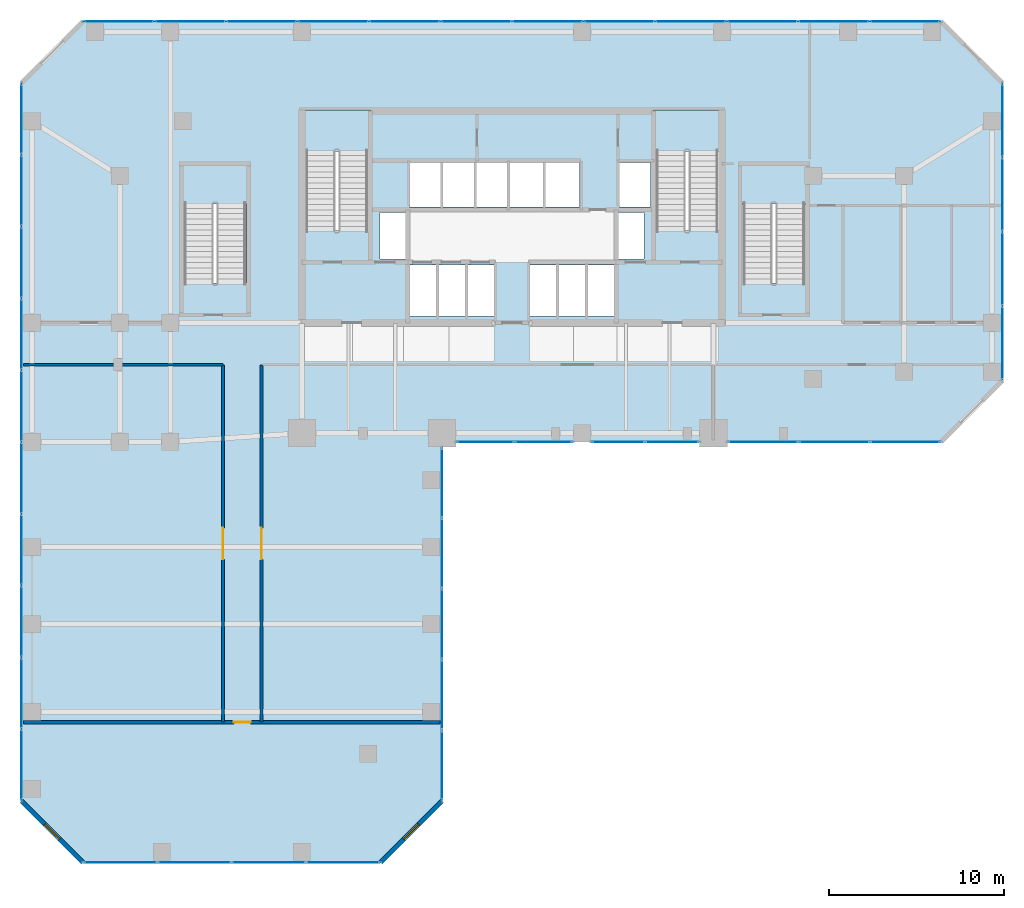
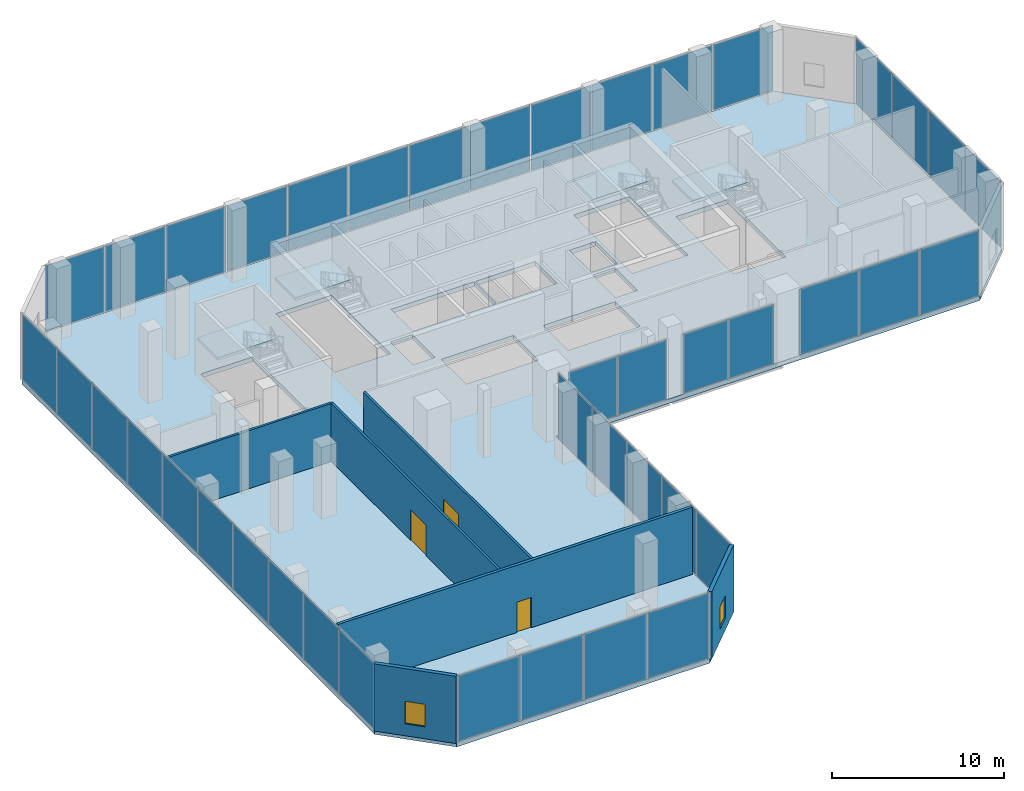
# One storey, part 20 of 24: 42 plates, 6 walls, 5 slabs, 3 doors, 2 windows, 5 openings, 12 elements without a shape of their own.
"""IFC4 building model written with IfcOpenShell, lengths in metres."""

from ifc_helpers import new_model, si_unit, direction, frame, frame_2d, origin, origin_2d, place, context, subcontext, project, spatial, polyline, rectangle, outline, extrude, material, layer, layer_set, type_object, element, fill, aggregate, save


model = new_model("IFC4")

# Units and contexts
model_context = context("Model", 3, precision=1e-05, world=origin(), true_north=direction((0.0, 1.0)))
body_context = subcontext(model_context, "Body", "Model", "MODEL_VIEW")
ifc_project = project(units=[si_unit("LENGTHUNIT", "METRE"), si_unit("AREAUNIT", "SQUARE_METRE"), si_unit("VOLUMEUNIT", "CUBIC_METRE"), si_unit("PLANEANGLEUNIT", "RADIAN"), si_unit("MASSUNIT", "GRAM", prefix="KILO")], contexts=[model_context])

# Site, building, storey
site_placement = place(None, origin())
site = spatial("IfcSite", under=ifc_project, at=site_placement, CompositionType="ELEMENT")
building_placement = place(site_placement, origin())
building = spatial("IfcBuilding", under=site, at=building_placement, Name="Catumbela Crestline Tower", CompositionType="ELEMENT")
storey_placement = place(building_placement, frame((0.0, 0.0, 6.0)))
storey = spatial("IfcBuildingStorey", under=building, at=storey_placement, Name="L01", CompositionType="ELEMENT", Elevation=6.0)

# Curtain wall, plates
ifc_material_1 = material(Name="Aluminium alloy AW-6060-T66", Category="aluminium")
ifc_layer_1 = layer(ifc_material_1, 0.18, Name="Aluminium alloy AW-6060-T66")
ifc_layer_set_1 = layer_set([ifc_layer_1], Name="Aluminium alloy AW-6060-T66")
curtain_wall_type = type_object("IfcCurtainWallType", Name="CWS-POD", PredefinedType="USERDEFINED", material=ifc_layer_set_1)
curtain_wall_1_placement = place(storey_placement, origin())
curtain_wall_1 = element("IfcCurtainWall", 1, at=curtain_wall_1_placement, inside=storey, type_object=curtain_wall_type, Name="L01 Stick Curtain Wall CW-L01-E0S1", ObjectType="STICK", PredefinedType="USERDEFINED")
ifc_material_2 = material(Name="Low-E laminated solar-control double glazing", Category="glass")
ifc_layer_2 = layer(ifc_material_2, 0.032, Name="Low-E laminated solar-control double glazing")
ifc_layer_set_2 = layer_set([ifc_layer_2], Name="Low-E laminated solar-control double glazing")
plate_type = type_object("IfcPlateType", Name="PNL-GLZ-PD", PredefinedType="CURTAIN_PANEL", material=ifc_layer_set_2)
plate_1_placement = place(storey_placement, frame((5.6412, 0.0, 0.06), z_axis=(0.0, 0.0, 1.0), x_axis=(1.0, 0.0, 0.0)))
plate_1 = element("IfcPlate", 2, at=plate_1_placement, type_object=plate_type, Name="CWS-POD panel 1.1", PredefinedType="CURTAIN_PANEL", context=body_context, shape_type="SweptSolid", body=[
    extrude(rectangle(XDim=4.1525, YDim=0.034, at=origin_2d()), origin(), (0.0, 0.0, 1.0), 4.65),
])
plate_2_placement = place(storey_placement, frame((9.875, 0.0, 0.06), z_axis=(0.0, 0.0, 1.0), x_axis=(1.0, 0.0, 0.0)))
plate_2 = element("IfcPlate", 3, at=plate_2_placement, type_object=plate_type, Name="CWS-POD panel 2.1", PredefinedType="CURTAIN_PANEL", context=body_context, shape_type="SweptSolid", body=[
    extrude(rectangle(XDim=4.185, YDim=0.034, at=origin_2d()), origin(), (0.0, 0.0, 1.0), 4.65),
])
plate_3_placement = place(storey_placement, frame((14.125, 0.0, 0.06), z_axis=(0.0, 0.0, 1.0), x_axis=(1.0, 0.0, 0.0)))
plate_3 = element("IfcPlate", 4, at=plate_3_placement, type_object=plate_type, Name="CWS-POD panel 3.1", PredefinedType="CURTAIN_PANEL", context=body_context, shape_type="SweptSolid", body=[
    extrude(rectangle(XDim=4.185, YDim=0.034, at=origin_2d()), origin(), (0.0, 0.0, 1.0), 4.65),
])
plate_4_placement = place(storey_placement, frame((18.3588, 0.0, 0.06), z_axis=(0.0, 0.0, 1.0), x_axis=(1.0, 0.0, 0.0)))
plate_4 = element("IfcPlate", 5, at=plate_4_placement, type_object=plate_type, Name="CWS-POD panel 4.1", PredefinedType="CURTAIN_PANEL", context=body_context, shape_type="SweptSolid", body=[
    extrude(rectangle(XDim=4.1525, YDim=0.034, at=origin_2d()), origin(), (0.0, 0.0, 1.0), 4.65),
])
aggregate(curtain_wall_1, [plate_1, plate_2, plate_3, plate_4])

curtain_wall_2_placement = place(storey_placement, origin())
curtain_wall_2 = element("IfcCurtainWall", 6, at=curtain_wall_2_placement, inside=storey, type_object=curtain_wall_type, Name="L01 Stick Curtain Wall CW-L01-E2S1", ObjectType="STICK", PredefinedType="USERDEFINED")
plate_5_placement = place(storey_placement, frame((24.0, 5.5362, 0.06), z_axis=(0.0, 0.0, 1.0), x_axis=(0.0, 1.0, 0.0)))
plate_5 = element("IfcPlate", 7, at=plate_5_placement, type_object=plate_type, Name="CWS-POD panel 1.1", PredefinedType="CURTAIN_PANEL", context=body_context, shape_type="SweptSolid", body=[
    extrude(rectangle(XDim=3.9425, YDim=0.034, at=origin_2d()), origin(), (0.0, 0.0, 1.0), 4.65),
])
plate_6_placement = place(storey_placement, frame((24.0, 9.56, 0.06), z_axis=(0.0, 0.0, 1.0), x_axis=(0.0, 1.0, 0.0)))
plate_6 = element("IfcPlate", 8, at=plate_6_placement, type_object=plate_type, Name="CWS-POD panel 2.1", PredefinedType="CURTAIN_PANEL", context=body_context, shape_type="SweptSolid", body=[
    extrude(rectangle(XDim=3.975, YDim=0.034, at=origin_2d()), origin(), (0.0, 0.0, 1.0), 4.65),
])
plate_7_placement = place(storey_placement, frame((24.0, 13.6, 0.06), z_axis=(0.0, 0.0, 1.0), x_axis=(0.0, 1.0, 0.0)))
plate_7 = element("IfcPlate", 9, at=plate_7_placement, type_object=plate_type, Name="CWS-POD panel 3.1", PredefinedType="CURTAIN_PANEL", context=body_context, shape_type="SweptSolid", body=[
    extrude(rectangle(XDim=3.975, YDim=0.034, at=origin_2d()), origin(), (0.0, 0.0, 1.0), 4.65),
])
plate_8_placement = place(storey_placement, frame((24.0, 17.64, 0.06), z_axis=(0.0, 0.0, 1.0), x_axis=(0.0, 1.0, 0.0)))
plate_8 = element("IfcPlate", 10, at=plate_8_placement, type_object=plate_type, Name="CWS-POD panel 4.1", PredefinedType="CURTAIN_PANEL", context=body_context, shape_type="SweptSolid", body=[
    extrude(rectangle(XDim=3.975, YDim=0.034, at=origin_2d()), origin(), (0.0, 0.0, 1.0), 4.65),
])
plate_9_placement = place(storey_placement, frame((24.0, 21.6638, 0.06), z_axis=(0.0, 0.0, 1.0), x_axis=(0.0, 1.0, 0.0)))
plate_9 = element("IfcPlate", 11, at=plate_9_placement, type_object=plate_type, Name="CWS-POD panel 5.1", PredefinedType="CURTAIN_PANEL", context=body_context, shape_type="SweptSolid", body=[
    extrude(rectangle(XDim=3.9425, YDim=0.034, at=origin_2d()), origin(), (0.0, 0.0, 1.0), 4.65),
])
aggregate(curtain_wall_2, [plate_5, plate_6, plate_7, plate_8, plate_9])

curtain_wall_3_placement = place(storey_placement, origin())
curtain_wall_3 = element("IfcCurtainWall", 12, at=curtain_wall_3_placement, inside=storey, type_object=curtain_wall_type, Name="L01 Stick Curtain Wall CW-L01-E3S1", ObjectType="STICK", PredefinedType="USERDEFINED")
plate_10_placement = place(storey_placement, frame((26.4912, 24.0, 0.06), z_axis=(0.0, 0.0, 1.0), x_axis=(1.0, 0.0, 0.0)))
plate_10 = element("IfcPlate", 13, at=plate_10_placement, type_object=plate_type, Name="CWS-POD panel 1.1", PredefinedType="CURTAIN_PANEL", context=body_context, shape_type="SweptSolid", body=[
    extrude(rectangle(XDim=3.2525, YDim=0.034, at=origin_2d()), origin(), (0.0, 0.0, 1.0), 4.19),
])
plate_11_placement = place(storey_placement, frame((29.8088, 24.0, 0.06), z_axis=(0.0, 0.0, 1.0), x_axis=(1.0, 0.0, 0.0)))
plate_11 = element("IfcPlate", 14, at=plate_11_placement, type_object=plate_type, Name="CWS-POD panel 2.1", PredefinedType="CURTAIN_PANEL", context=body_context, shape_type="SweptSolid", body=[
    extrude(rectangle(XDim=3.2525, YDim=0.034, at=origin_2d()), origin(), (0.0, 0.0, 1.0), 4.19),
])
aggregate(curtain_wall_3, [plate_10, plate_11])

curtain_wall_4_placement = place(storey_placement, origin())
curtain_wall_4 = element("IfcCurtainWall", 15, at=curtain_wall_4_placement, inside=storey, type_object=curtain_wall_type, Name="L01 Stick Curtain Wall CW-L01-E3S2", ObjectType="STICK", PredefinedType="USERDEFINED")
plate_12_placement = place(storey_placement, frame((34.0662, 24.0, 0.06), z_axis=(0.0, 0.0, 1.0), x_axis=(1.0, 0.0, 0.0)))
plate_12 = element("IfcPlate", 16, at=plate_12_placement, type_object=plate_type, Name="CWS-POD panel 1.1", PredefinedType="CURTAIN_PANEL", context=body_context, shape_type="SweptSolid", body=[
    extrude(rectangle(XDim=3.0025, YDim=0.034, at=origin_2d()), origin(), (0.0, 0.0, 1.0), 4.19),
])
plate_13_placement = place(storey_placement, frame((37.1338, 24.0, 0.06), z_axis=(0.0, 0.0, 1.0), x_axis=(1.0, 0.0, 0.0)))
plate_13 = element("IfcPlate", 17, at=plate_13_placement, type_object=plate_type, Name="CWS-POD panel 2.1", PredefinedType="CURTAIN_PANEL", context=body_context, shape_type="SweptSolid", body=[
    extrude(rectangle(XDim=3.0025, YDim=0.034, at=origin_2d()), origin(), (0.0, 0.0, 1.0), 4.19),
])
aggregate(curtain_wall_4, [plate_12, plate_13])

curtain_wall_5_placement = place(storey_placement, origin())
curtain_wall_5 = element("IfcCurtainWall", 18, at=curtain_wall_5_placement, inside=storey, type_object=curtain_wall_type, Name="L01 Stick Curtain Wall CW-L01-E3S3", ObjectType="STICK", PredefinedType="USERDEFINED")
plate_14_placement = place(storey_placement, frame((42.3496, 24.0, 0.06), z_axis=(0.0, 0.0, 1.0), x_axis=(1.0, 0.0, 0.0)))
plate_14 = element("IfcPlate", 19, at=plate_14_placement, type_object=plate_type, Name="CWS-POD panel 1.1", PredefinedType="CURTAIN_PANEL", context=body_context, shape_type="SweptSolid", body=[
    extrude(rectangle(XDim=3.9692, YDim=0.034, at=origin_2d()), origin(), (0.0, 0.0, 1.0), 4.65),
])
plate_15_placement = place(storey_placement, frame((46.4, 24.0, 0.06), z_axis=(0.0, 0.0, 1.0), x_axis=(1.0, 0.0, 0.0)))
plate_15 = element("IfcPlate", 20, at=plate_15_placement, type_object=plate_type, Name="CWS-POD panel 2.1", PredefinedType="CURTAIN_PANEL", context=body_context, shape_type="SweptSolid", body=[
    extrude(rectangle(XDim=4.0017, YDim=0.034, at=origin_2d()), origin(), (0.0, 0.0, 1.0), 4.65),
])
plate_16_placement = place(storey_placement, frame((50.4504, 24.0, 0.06), z_axis=(0.0, 0.0, 1.0), x_axis=(1.0, 0.0, 0.0)))
plate_16 = element("IfcPlate", 21, at=plate_16_placement, type_object=plate_type, Name="CWS-POD panel 3.1", PredefinedType="CURTAIN_PANEL", context=body_context, shape_type="SweptSolid", body=[
    extrude(rectangle(XDim=3.9692, YDim=0.034, at=origin_2d()), origin(), (0.0, 0.0, 1.0), 4.65),
])
aggregate(curtain_wall_5, [plate_14, plate_15, plate_16])

curtain_wall_6_placement = place(storey_placement, origin())
curtain_wall_6 = element("IfcCurtainWall", 22, at=curtain_wall_6_placement, inside=storey, type_object=curtain_wall_type, Name="L01 Stick Curtain Wall CW-L01-E5S1", ObjectType="STICK", PredefinedType="USERDEFINED")
plate_17_placement = place(storey_placement, frame((56.0, 29.6412, 0.06), z_axis=(0.0, 0.0, 1.0), x_axis=(0.0, 1.0, 0.0)))
plate_17 = element("IfcPlate", 23, at=plate_17_placement, type_object=plate_type, Name="CWS-POD panel 1.1", PredefinedType="CURTAIN_PANEL", context=body_context, shape_type="SweptSolid", body=[
    extrude(rectangle(XDim=4.1525, YDim=0.034, at=origin_2d()), origin(), (0.0, 0.0, 1.0), 4.65),
])
plate_18_placement = place(storey_placement, frame((56.0, 33.875, 0.06), z_axis=(0.0, 0.0, 1.0), x_axis=(0.0, 1.0, 0.0)))
plate_18 = element("IfcPlate", 24, at=plate_18_placement, type_object=plate_type, Name="CWS-POD panel 2.1", PredefinedType="CURTAIN_PANEL", context=body_context, shape_type="SweptSolid", body=[
    extrude(rectangle(XDim=4.185, YDim=0.034, at=origin_2d()), origin(), (0.0, 0.0, 1.0), 4.65),
])
plate_19_placement = place(storey_placement, frame((56.0, 38.125, 0.06), z_axis=(0.0, 0.0, 1.0), x_axis=(0.0, 1.0, 0.0)))
plate_19 = element("IfcPlate", 25, at=plate_19_placement, type_object=plate_type, Name="CWS-POD panel 3.1", PredefinedType="CURTAIN_PANEL", context=body_context, shape_type="SweptSolid", body=[
    extrude(rectangle(XDim=4.185, YDim=0.034, at=origin_2d()), origin(), (0.0, 0.0, 1.0), 4.65),
])
plate_20_placement = place(storey_placement, frame((56.0, 42.3588, 0.06), z_axis=(0.0, 0.0, 1.0), x_axis=(0.0, 1.0, 0.0)))
plate_20 = element("IfcPlate", 26, at=plate_20_placement, type_object=plate_type, Name="CWS-POD panel 4.1", PredefinedType="CURTAIN_PANEL", context=body_context, shape_type="SweptSolid", body=[
    extrude(rectangle(XDim=4.1525, YDim=0.034, at=origin_2d()), origin(), (0.0, 0.0, 1.0), 4.65),
])
aggregate(curtain_wall_6, [plate_17, plate_18, plate_19, plate_20])

curtain_wall_7_placement = place(storey_placement, origin())
curtain_wall_7 = element("IfcCurtainWall", 27, at=curtain_wall_7_placement, inside=storey, type_object=curtain_wall_type, Name="L01 Stick Curtain Wall CW-L01-E7S1", ObjectType="STICK", PredefinedType="USERDEFINED")
plate_21_placement = place(storey_placement, frame((50.4421, 48.0, 0.06), z_axis=(0.0, 0.0, 1.0), x_axis=(-1.0, 0.0, 0.0)))
plate_21 = element("IfcPlate", 28, at=plate_21_placement, type_object=plate_type, Name="CWS-POD panel 1.1", PredefinedType="CURTAIN_PANEL", context=body_context, shape_type="SweptSolid", body=[
    extrude(rectangle(XDim=3.9858, YDim=0.034, at=origin_2d()), origin(), (0.0, 0.0, 1.0), 4.65),
])
plate_22_placement = place(storey_placement, frame((46.375, 48.0, 0.06), z_axis=(0.0, 0.0, 1.0), x_axis=(-1.0, 0.0, 0.0)))
plate_22 = element("IfcPlate", 29, at=plate_22_placement, type_object=plate_type, Name="CWS-POD panel 2.1", PredefinedType="CURTAIN_PANEL", context=body_context, shape_type="SweptSolid", body=[
    extrude(rectangle(XDim=4.0183, YDim=0.034, at=origin_2d()), origin(), (0.0, 0.0, 1.0), 4.65),
])
plate_23_placement = place(storey_placement, frame((42.2917, 48.0, 0.06), z_axis=(0.0, 0.0, 1.0), x_axis=(-1.0, 0.0, 0.0)))
plate_23 = element("IfcPlate", 30, at=plate_23_placement, type_object=plate_type, Name="CWS-POD panel 3.1", PredefinedType="CURTAIN_PANEL", context=body_context, shape_type="SweptSolid", body=[
    extrude(rectangle(XDim=4.0183, YDim=0.034, at=origin_2d()), origin(), (0.0, 0.0, 1.0), 4.65),
])
plate_24_placement = place(storey_placement, frame((38.2083, 48.0, 0.06), z_axis=(0.0, 0.0, 1.0), x_axis=(-1.0, 0.0, 0.0)))
plate_24 = element("IfcPlate", 31, at=plate_24_placement, type_object=plate_type, Name="CWS-POD panel 4.1", PredefinedType="CURTAIN_PANEL", context=body_context, shape_type="SweptSolid", body=[
    extrude(rectangle(XDim=4.0183, YDim=0.034, at=origin_2d()), origin(), (0.0, 0.0, 1.0), 4.65),
])
plate_25_placement = place(storey_placement, frame((34.125, 48.0, 0.06), z_axis=(0.0, 0.0, 1.0), x_axis=(-1.0, 0.0, 0.0)))
plate_25 = element("IfcPlate", 32, at=plate_25_placement, type_object=plate_type, Name="CWS-POD panel 5.1", PredefinedType="CURTAIN_PANEL", context=body_context, shape_type="SweptSolid", body=[
    extrude(rectangle(XDim=4.0183, YDim=0.034, at=origin_2d()), origin(), (0.0, 0.0, 1.0), 4.65),
])
plate_26_placement = place(storey_placement, frame((30.0417, 48.0, 0.06), z_axis=(0.0, 0.0, 1.0), x_axis=(-1.0, 0.0, 0.0)))
plate_26 = element("IfcPlate", 33, at=plate_26_placement, type_object=plate_type, Name="CWS-POD panel 6.1", PredefinedType="CURTAIN_PANEL", context=body_context, shape_type="SweptSolid", body=[
    extrude(rectangle(XDim=4.0183, YDim=0.034, at=origin_2d()), origin(), (0.0, 0.0, 1.0), 4.65),
])
plate_27_placement = place(storey_placement, frame((25.9583, 48.0, 0.06), z_axis=(0.0, 0.0, 1.0), x_axis=(-1.0, 0.0, 0.0)))
plate_27 = element("IfcPlate", 34, at=plate_27_placement, type_object=plate_type, Name="CWS-POD panel 7.1", PredefinedType="CURTAIN_PANEL", context=body_context, shape_type="SweptSolid", body=[
    extrude(rectangle(XDim=4.0183, YDim=0.034, at=origin_2d()), origin(), (0.0, 0.0, 1.0), 4.65),
])
plate_28_placement = place(storey_placement, frame((21.875, 48.0, 0.06), z_axis=(0.0, 0.0, 1.0), x_axis=(-1.0, 0.0, 0.0)))
plate_28 = element("IfcPlate", 35, at=plate_28_placement, type_object=plate_type, Name="CWS-POD panel 8.1", PredefinedType="CURTAIN_PANEL", context=body_context, shape_type="SweptSolid", body=[
    extrude(rectangle(XDim=4.0183, YDim=0.034, at=origin_2d()), origin(), (0.0, 0.0, 1.0), 4.65),
])
plate_29_placement = place(storey_placement, frame((17.7917, 48.0, 0.06), z_axis=(0.0, 0.0, 1.0), x_axis=(-1.0, 0.0, 0.0)))
plate_29 = element("IfcPlate", 36, at=plate_29_placement, type_object=plate_type, Name="CWS-POD panel 9.1", PredefinedType="CURTAIN_PANEL", context=body_context, shape_type="SweptSolid", body=[
    extrude(rectangle(XDim=4.0183, YDim=0.034, at=origin_2d()), origin(), (0.0, 0.0, 1.0), 4.65),
])
plate_30_placement = place(storey_placement, frame((13.7083, 48.0, 0.06), z_axis=(0.0, 0.0, 1.0), x_axis=(-1.0, 0.0, 0.0)))
plate_30 = element("IfcPlate", 37, at=plate_30_placement, type_object=plate_type, Name="CWS-POD panel 10.1", PredefinedType="CURTAIN_PANEL", context=body_context, shape_type="SweptSolid", body=[
    extrude(rectangle(XDim=4.0183, YDim=0.034, at=origin_2d()), origin(), (0.0, 0.0, 1.0), 4.65),
])
plate_31_placement = place(storey_placement, frame((9.625, 48.0, 0.06), z_axis=(0.0, 0.0, 1.0), x_axis=(-1.0, 0.0, 0.0)))
plate_31 = element("IfcPlate", 38, at=plate_31_placement, type_object=plate_type, Name="CWS-POD panel 11.1", PredefinedType="CURTAIN_PANEL", context=body_context, shape_type="SweptSolid", body=[
    extrude(rectangle(XDim=4.0183, YDim=0.034, at=origin_2d()), origin(), (0.0, 0.0, 1.0), 4.65),
])
plate_32_placement = place(storey_placement, frame((5.5579, 48.0, 0.06), z_axis=(0.0, 0.0, 1.0), x_axis=(-1.0, 0.0, 0.0)))
plate_32 = element("IfcPlate", 39, at=plate_32_placement, type_object=plate_type, Name="CWS-POD panel 12.1", PredefinedType="CURTAIN_PANEL", context=body_context, shape_type="SweptSolid", body=[
    extrude(rectangle(XDim=3.9858, YDim=0.034, at=origin_2d()), origin(), (0.0, 0.0, 1.0), 4.65),
])
aggregate(curtain_wall_7, [plate_21, plate_22, plate_23, plate_24, plate_25, plate_26, plate_27, plate_28, plate_29, plate_30, plate_31, plate_32])

curtain_wall_8_placement = place(storey_placement, origin())
curtain_wall_8 = element("IfcCurtainWall", 40, at=curtain_wall_8_placement, inside=storey, type_object=curtain_wall_type, Name="L01 Stick Curtain Wall CW-L01-E9S1", ObjectType="STICK", PredefinedType="USERDEFINED")
plate_33_placement = place(storey_placement, frame((0.0, 42.4338, 0.06), z_axis=(0.0, 0.0, 1.0), x_axis=(0.0, -1.0, 0.0)))
plate_33 = element("IfcPlate", 41, at=plate_33_placement, type_object=plate_type, Name="CWS-POD panel 1.1", PredefinedType="CURTAIN_PANEL", context=body_context, shape_type="SweptSolid", body=[
    extrude(rectangle(XDim=4.0025, YDim=0.034, at=origin_2d()), origin(), (0.0, 0.0, 1.0), 4.65),
])
plate_34_placement = place(storey_placement, frame((0.0, 38.35, 0.06), z_axis=(0.0, 0.0, 1.0), x_axis=(0.0, -1.0, 0.0)))
plate_34 = element("IfcPlate", 42, at=plate_34_placement, type_object=plate_type, Name="CWS-POD panel 2.1", PredefinedType="CURTAIN_PANEL", context=body_context, shape_type="SweptSolid", body=[
    extrude(rectangle(XDim=4.035, YDim=0.034, at=origin_2d()), origin(), (0.0, 0.0, 1.0), 4.65),
])
plate_35_placement = place(storey_placement, frame((0.0, 34.25, 0.06), z_axis=(0.0, 0.0, 1.0), x_axis=(0.0, -1.0, 0.0)))
plate_35 = element("IfcPlate", 43, at=plate_35_placement, type_object=plate_type, Name="CWS-POD panel 3.1", PredefinedType="CURTAIN_PANEL", context=body_context, shape_type="SweptSolid", body=[
    extrude(rectangle(XDim=4.035, YDim=0.034, at=origin_2d()), origin(), (0.0, 0.0, 1.0), 4.65),
])
plate_36_placement = place(storey_placement, frame((0.0, 30.15, 0.06), z_axis=(0.0, 0.0, 1.0), x_axis=(0.0, -1.0, 0.0)))
plate_36 = element("IfcPlate", 44, at=plate_36_placement, type_object=plate_type, Name="CWS-POD panel 4.1", PredefinedType="CURTAIN_PANEL", context=body_context, shape_type="SweptSolid", body=[
    extrude(rectangle(XDim=4.035, YDim=0.034, at=origin_2d()), origin(), (0.0, 0.0, 1.0), 4.65),
])
plate_37_placement = place(storey_placement, frame((0.0, 26.05, 0.06), z_axis=(0.0, 0.0, 1.0), x_axis=(0.0, -1.0, 0.0)))
plate_37 = element("IfcPlate", 45, at=plate_37_placement, type_object=plate_type, Name="CWS-POD panel 5.1", PredefinedType="CURTAIN_PANEL", context=body_context, shape_type="SweptSolid", body=[
    extrude(rectangle(XDim=4.035, YDim=0.034, at=origin_2d()), origin(), (0.0, 0.0, 1.0), 4.65),
])
plate_38_placement = place(storey_placement, frame((0.0, 21.95, 0.06), z_axis=(0.0, 0.0, 1.0), x_axis=(0.0, -1.0, 0.0)))
plate_38 = element("IfcPlate", 46, at=plate_38_placement, type_object=plate_type, Name="CWS-POD panel 6.1", PredefinedType="CURTAIN_PANEL", context=body_context, shape_type="SweptSolid", body=[
    extrude(rectangle(XDim=4.035, YDim=0.034, at=origin_2d()), origin(), (0.0, 0.0, 1.0), 4.65),
])
plate_39_placement = place(storey_placement, frame((0.0, 17.85, 0.06), z_axis=(0.0, 0.0, 1.0), x_axis=(0.0, -1.0, 0.0)))
plate_39 = element("IfcPlate", 47, at=plate_39_placement, type_object=plate_type, Name="CWS-POD panel 7.1", PredefinedType="CURTAIN_PANEL", context=body_context, shape_type="SweptSolid", body=[
    extrude(rectangle(XDim=4.035, YDim=0.034, at=origin_2d()), origin(), (0.0, 0.0, 1.0), 4.65),
])
plate_40_placement = place(storey_placement, frame((0.0, 13.75, 0.06), z_axis=(0.0, 0.0, 1.0), x_axis=(0.0, -1.0, 0.0)))
plate_40 = element("IfcPlate", 48, at=plate_40_placement, type_object=plate_type, Name="CWS-POD panel 8.1", PredefinedType="CURTAIN_PANEL", context=body_context, shape_type="SweptSolid", body=[
    extrude(rectangle(XDim=4.035, YDim=0.034, at=origin_2d()), origin(), (0.0, 0.0, 1.0), 4.65),
])
plate_41_placement = place(storey_placement, frame((0.0, 9.65, 0.06), z_axis=(0.0, 0.0, 1.0), x_axis=(0.0, -1.0, 0.0)))
plate_41 = element("IfcPlate", 49, at=plate_41_placement, type_object=plate_type, Name="CWS-POD panel 9.1", PredefinedType="CURTAIN_PANEL", context=body_context, shape_type="SweptSolid", body=[
    extrude(rectangle(XDim=4.035, YDim=0.034, at=origin_2d()), origin(), (0.0, 0.0, 1.0), 4.65),
])
plate_42_placement = place(storey_placement, frame((0.0, 5.5662, 0.06), z_axis=(0.0, 0.0, 1.0), x_axis=(0.0, -1.0, 0.0)))
plate_42 = element("IfcPlate", 50, at=plate_42_placement, type_object=plate_type, Name="CWS-POD panel 10.1", PredefinedType="CURTAIN_PANEL", context=body_context, shape_type="SweptSolid", body=[
    extrude(rectangle(XDim=4.0025, YDim=0.034, at=origin_2d()), origin(), (0.0, 0.0, 1.0), 4.65),
])
aggregate(curtain_wall_8, [plate_33, plate_34, plate_35, plate_36, plate_37, plate_38, plate_39, plate_40, plate_41, plate_42])

# Stair, slab
ifc_material_3 = material(Name="Concrete C45/55", Category="concrete")
stair_type = type_object("IfcStairType", Name="ST-DLG", PredefinedType="HALF_TURN_STAIR", material=ifc_material_3)
stair_1_placement = place(storey_placement, origin())
stair_1 = element("IfcStair", 51, at=stair_1_placement, inside=storey, type_object=stair_type, Name="L01 West Core Pressurised Exit Stair ST-01", PredefinedType="HALF_TURN_STAIR")
ifc_layer_3 = layer(ifc_material_3, 0.2, Name="Concrete C45/55")
ifc_layer_set_3 = layer_set([ifc_layer_3], Name="Concrete C45/55")
slab_type_1 = type_object("IfcSlabType", Name="SL-LND", PredefinedType="LANDING", material=ifc_layer_set_3)
slab_1_placement = place(storey_placement, frame((0.0, 0.0, 2.35)))
slab_1 = element("IfcSlab", 52, at=slab_1_placement, type_object=slab_type_1, Name="ST-01 landing 1", PredefinedType="LANDING", context=body_context, shape_type="SweptSolid", body=[
    extrude(outline(polyline([(19.91, 40.57), (19.91, 42.96), (16.09, 42.96), (16.09, 40.57), (19.91, 40.57)])), origin(), (0.0, 0.0, 1.0), 0.2),
])
aggregate(stair_1, [slab_1])

stair_2_placement = place(storey_placement, origin())
stair_2 = element("IfcStair", 53, at=stair_2_placement, inside=storey, type_object=stair_type, Name="L01 East Core Pressurised Exit Stair ST-02", PredefinedType="HALF_TURN_STAIR")
slab_2_placement = place(storey_placement, frame((0.0, 0.0, 2.35)))
slab_2 = element("IfcSlab", 54, at=slab_2_placement, type_object=slab_type_1, Name="ST-02 landing 1", PredefinedType="LANDING", context=body_context, shape_type="SweptSolid", body=[
    extrude(outline(polyline([(39.91, 40.57), (39.91, 42.96), (36.09, 42.96), (36.09, 40.57), (39.91, 40.57)])), origin(), (0.0, 0.0, 1.0), 0.2),
])
aggregate(stair_2, [slab_2])

stair_3_placement = place(storey_placement, origin())
stair_3 = element("IfcStair", 55, at=stair_3_placement, inside=storey, type_object=stair_type, Name="L01 South-West Podium Exit Stair ST-03", PredefinedType="HALF_TURN_STAIR")
slab_3_placement = place(storey_placement, frame((0.0, 0.0, 2.35)))
slab_3 = element("IfcSlab", 56, at=slab_3_placement, type_object=slab_type_1, Name="ST-03 landing 1", PredefinedType="LANDING", context=body_context, shape_type="SweptSolid", body=[
    extrude(outline(polyline([(12.96, 37.57), (12.96, 39.96), (9.14, 39.96), (9.14, 37.57), (12.96, 37.57)])), origin(), (0.0, 0.0, 1.0), 0.2),
])
aggregate(stair_3, [slab_3])

stair_4_placement = place(storey_placement, origin())
stair_4 = element("IfcStair", 57, at=stair_4_placement, inside=storey, type_object=stair_type, Name="L01 East Galleria Podium Exit Stair ST-04", PredefinedType="HALF_TURN_STAIR")
slab_4_placement = place(storey_placement, frame((0.0, 0.0, 2.35)))
slab_4 = element("IfcSlab", 58, at=slab_4_placement, type_object=slab_type_1, Name="ST-04 landing 1", PredefinedType="LANDING", context=body_context, shape_type="SweptSolid", body=[
    extrude(outline(polyline([(44.86, 37.57), (44.86, 39.96), (41.04, 39.96), (41.04, 37.57), (44.86, 37.57)])), origin(), (0.0, 0.0, 1.0), 0.2),
])
aggregate(stair_4, [slab_4])

# Slab
ifc_material_4 = material(Name="Concrete C50/60", Category="concrete")
ifc_layer_4 = layer(ifc_material_4, 0.32, Name="Concrete C50/60")
ifc_layer_set_4 = layer_set([ifc_layer_4], Name="Concrete C50/60")
slab_type_2 = type_object("IfcSlabType", Name="SL-320P", PredefinedType="FLOOR", material=ifc_layer_set_4)
slab_5_placement = place(storey_placement, frame((0.0, 0.0, -0.32)))
element("IfcSlab", 59, at=slab_5_placement, inside=storey, type_object=slab_type_2, Name="L01 Structural Floor Slab", PredefinedType="FLOOR", context=body_context, shape_type="SweptSolid", body=[
    extrude(outline(polyline([(3.5, 0.0), (20.5, 0.0), (24.0, 3.5), (24.0, 24.0), (52.5, 24.0), (56.0, 27.5), (56.0, 44.5), (52.5, 48.0), (3.5, 48.0), (0.0, 44.5), (0.0, 3.5), (3.5, 0.0)]), holes=[polyline([(16.13, 36.08), (19.87, 36.08), (19.87, 42.92), (16.13, 42.92), (16.13, 36.08)]), polyline([(36.13, 36.08), (39.87, 36.08), (39.87, 42.92), (36.13, 42.92), (36.13, 36.08)]), polyline([(12.8, 33.08), (12.8, 39.8), (9.3, 39.8), (9.3, 33.08), (12.8, 33.08)]), polyline([(44.7, 33.08), (44.7, 39.8), (41.2, 39.8), (41.2, 33.08), (44.7, 33.08)]), polyline([(22.15, 31.2), (27.0, 31.2), (27.0, 34.1), (22.15, 34.1), (22.15, 31.2)]), polyline([(29.0, 31.2), (33.85, 31.2), (33.85, 34.1), (29.0, 34.1), (29.0, 31.2)]), polyline([(22.15, 37.4), (27.75, 37.4), (27.75, 39.95), (22.15, 39.95), (22.15, 37.4)]), polyline([(27.85, 37.4), (31.85, 37.4), (31.85, 39.95), (27.85, 39.95), (27.85, 37.4)]), polyline([(20.45, 34.45), (21.95, 34.45), (21.95, 37.1), (20.45, 37.1), (20.45, 34.45)]), polyline([(34.05, 34.45), (35.55, 34.45), (35.55, 37.1), (34.05, 37.1), (34.05, 34.45)]), polyline([(34.15, 37.4), (35.9, 37.4), (35.9, 39.95), (34.15, 39.95), (34.15, 37.4)])]), origin(), (0.0, 0.0, 1.0), 0.32),
])

# Wall, opening, door
ifc_material_5 = material(Name="Acoustic gypsum and mineral-wool partition")
ifc_layer_5 = layer(ifc_material_5, 0.2, Name="Acoustic gypsum and mineral-wool partition")
ifc_layer_set_5 = layer_set([ifc_layer_5], Name="Acoustic gypsum and mineral-wool partition")
wall_type_1 = type_object("IfcWallType", Name="WC-200", PredefinedType="PARTITIONING", material=ifc_layer_set_5)
wall_1_placement = place(storey_placement, frame((0.1, 8.0, 0.0), z_axis=(0.0, 0.0, 1.0), x_axis=(1.0, 0.0, 0.0)))
wall_1 = element("IfcWall", 60, at=wall_1_placement, inside=storey, type_object=wall_type_1, Name="L01 Interior Partition PW-L01-SHP3-ENT", PredefinedType="PARTITIONING", context=body_context, shape_type="SweptSolid", body=[
    extrude(rectangle(XDim=23.8, YDim=0.2, at=frame_2d((11.9, 0.0))), origin(), (0.0, 0.0, 1.0), 4.77),
])
opening_1_placement = place(wall_1_placement, frame((12.025, 0.0, 0.0)))
opening_1 = element("IfcOpeningElement", 61, at=opening_1_placement, cuts=wall_1, Name="Opening DF6-095", PredefinedType="OPENING", context=body_context, shape_type="SweptSolid", body=[
    extrude(rectangle(XDim=0.95, YDim=2.15, at=frame_2d((0.475, 1.075))), frame((0.0, 0.11, 0.0), z_axis=(0.0, -1.0, 0.0), x_axis=(1.0, 0.0, 0.0)), (0.0, 0.0, 1.0), 0.22),
])
door_type_1 = type_object("IfcDoorType", Name="DF6-095", OperationType="NOTDEFINED", PredefinedType="DOOR", material=ifc_material_1)
door_1_placement = place(opening_1_placement, origin())
door_1 = element("IfcDoor", 62, at=door_1_placement, inside=storey, type_object=door_type_1, Name="L01 Interior Door DR-L01-SHP3-ENT", OperationType="SINGLE_SWING_LEFT", OverallHeight=2.15, OverallWidth=0.95, PredefinedType="DOOR", context=body_context, shape_type="SweptSolid", body=[
    extrude(rectangle(XDim=0.95, YDim=2.15, at=frame_2d((0.475, 1.075))), frame((0.0, 0.025, 0.0), z_axis=(0.0, -1.0, 0.0), x_axis=(1.0, 0.0, 0.0)), (0.0, 0.0, 1.0), 0.05),
])
fill(opening_1, door_1)

# Wall, opening, window
ifc_material_6 = material(Name="Angolan grey-ochre granite", Category="masonry")
ifc_layer_6 = layer(ifc_material_6, 0.25, Name="Angolan grey-ochre granite")
ifc_layer_set_6 = layer_set([ifc_layer_6], Name="Angolan grey-ochre granite")
wall_type_2 = type_object("IfcWallType", Name="WE-250", PredefinedType="STANDARD", material=ifc_layer_set_6)
wall_2_placement = place(storey_placement, frame((20.5, 0.0, 0.0), z_axis=(0.0, 0.0, 1.0), x_axis=(0.707106781187, 0.707106781187, 0.0)))
wall_2 = element("IfcWall", 63, at=wall_2_placement, inside=storey, type_object=wall_type_2, Name="L01 Granite Punched Window Wall 1-1", PredefinedType="STANDARD", context=body_context, shape_type="SweptSolid", body=[
    extrude(rectangle(XDim=4.9497, YDim=0.25, at=frame_2d((2.4748, 0.0))), origin(), (0.0, 0.0, 1.0), 4.77),
])
opening_2_placement = place(wall_2_placement, frame((1.8748, 0.0, 0.85)))
opening_2 = element("IfcOpeningElement", 64, at=opening_2_placement, cuts=wall_2, Name="Opening WN-02", PredefinedType="OPENING", context=body_context, shape_type="SweptSolid", body=[
    extrude(rectangle(XDim=1.2, YDim=1.6, at=frame_2d((0.6, 0.8))), frame((0.0, 0.135, 0.0), z_axis=(0.0, -1.0, 0.0), x_axis=(1.0, 0.0, 0.0)), (0.0, 0.0, 1.0), 0.27),
])
window_type = type_object("IfcWindowType", Name="WO-1200", PartitioningType="SINGLE_PANEL", PredefinedType="WINDOW", material=ifc_material_2)
window_1_placement = place(opening_2_placement, origin())
window_1 = element("IfcWindow", 65, at=window_1_placement, inside=storey, type_object=window_type, Name="L01 Facade Vision Window 26", OverallHeight=1.6, OverallWidth=1.2, PartitioningType="SINGLE_PANEL", PredefinedType="WINDOW", context=body_context, shape_type="SweptSolid", body=[
    extrude(rectangle(XDim=1.2, YDim=1.6, at=frame_2d((0.6, 0.8))), frame((0.0, 0.03, 0.0), z_axis=(0.0, -1.0, 0.0), x_axis=(1.0, 0.0, 0.0)), (0.0, 0.0, 1.0), 0.06),
])
fill(opening_2, window_1)

wall_3_placement = place(storey_placement, frame((0.0, 3.5, 0.0), z_axis=(0.0, 0.0, 1.0), x_axis=(0.707106781187, -0.707106781187, 0.0)))
wall_3 = element("IfcWall", 66, at=wall_3_placement, inside=storey, type_object=wall_type_2, Name="L01 Granite Punched Window Wall 10-1", PredefinedType="STANDARD", context=body_context, shape_type="SweptSolid", body=[
    extrude(rectangle(XDim=4.9497, YDim=0.25, at=frame_2d((2.4748, 0.0))), origin(), (0.0, 0.0, 1.0), 4.77),
])
opening_3_placement = place(wall_3_placement, frame((1.8748, 0.0, 0.85)))
opening_3 = element("IfcOpeningElement", 67, at=opening_3_placement, cuts=wall_3, Name="Opening WN-02", PredefinedType="OPENING", context=body_context, shape_type="SweptSolid", body=[
    extrude(rectangle(XDim=1.2, YDim=1.6, at=frame_2d((0.6, 0.8))), frame((0.0, 0.135, 0.0), z_axis=(0.0, -1.0, 0.0), x_axis=(1.0, 0.0, 0.0)), (0.0, 0.0, 1.0), 0.27),
])
window_2_placement = place(opening_3_placement, origin())
window_2 = element("IfcWindow", 68, at=window_2_placement, inside=storey, type_object=window_type, Name="L01 Facade Vision Window 30", OverallHeight=1.6, OverallWidth=1.2, PartitioningType="SINGLE_PANEL", PredefinedType="WINDOW", context=body_context, shape_type="SweptSolid", body=[
    extrude(rectangle(XDim=1.2, YDim=1.6, at=frame_2d((0.6, 0.8))), frame((0.0, 0.03, 0.0), z_axis=(0.0, -1.0, 0.0), x_axis=(1.0, 0.0, 0.0)), (0.0, 0.0, 1.0), 0.06),
])
fill(opening_3, window_2)

# Wall
ifc_layer_7 = layer(ifc_material_5, 0.15, Name="Acoustic gypsum and mineral-wool partition")
ifc_layer_set_7 = layer_set([ifc_layer_7], Name="Acoustic gypsum and mineral-wool partition")
wall_type_3 = type_object("IfcWallType", Name="WP-150", PredefinedType="PARTITIONING", material=ifc_layer_set_7)
wall_4_placement = place(storey_placement, frame((0.1, 28.4, 0.0), z_axis=(0.0, 0.0, 1.0), x_axis=(1.0, 0.0, 0.0)))
element("IfcWall", 69, at=wall_4_placement, inside=storey, type_object=wall_type_3, Name="L01 Interior Partition PW-L01-SHN1", PredefinedType="PARTITIONING", context=body_context, shape_type="SweptSolid", body=[
    extrude(rectangle(XDim=11.4, YDim=0.15, at=frame_2d((5.7, 0.0))), origin(), (0.0, 0.0, 1.0), 4.12),
])

# Wall, opening, door
wall_5_placement = place(storey_placement, frame((11.5, 8.0, 0.0), z_axis=(0.0, 0.0, 1.0), x_axis=(0.0, 1.0, 0.0)))
wall_5 = element("IfcWall", 70, at=wall_5_placement, inside=storey, type_object=wall_type_3, Name="L01 Interior Partition PW-L01-SH1", PredefinedType="PARTITIONING", context=body_context, shape_type="SweptSolid", body=[
    extrude(rectangle(XDim=20.4, YDim=0.15, at=frame_2d((10.2, 0.0))), origin(), (0.0, 0.0, 1.0), 4.12),
])
opening_4_placement = place(wall_5_placement, frame((9.3, 0.0, 0.0)))
opening_4 = element("IfcOpeningElement", 71, at=opening_4_placement, cuts=wall_5, Name="Opening DD-180", PredefinedType="OPENING", context=body_context, shape_type="SweptSolid", body=[
    extrude(rectangle(XDim=1.8, YDim=2.15, at=frame_2d((0.9, 1.075))), frame((0.0, 0.085, 0.0), z_axis=(0.0, -1.0, 0.0), x_axis=(1.0, 0.0, 0.0)), (0.0, 0.0, 1.0), 0.17),
])
door_type_2 = type_object("IfcDoorType", Name="DD-180", OperationType="NOTDEFINED", PredefinedType="DOOR", material=ifc_material_1)
door_2_placement = place(opening_4_placement, origin())
door_2 = element("IfcDoor", 72, at=door_2_placement, inside=storey, type_object=door_type_2, Name="L01 Interior Door DR-L01-SH1", OperationType="DOUBLE_DOOR_SINGLE_SWING", OverallHeight=2.15, OverallWidth=1.8, PredefinedType="DOOR", context=body_context, shape_type="SweptSolid", body=[
    extrude(rectangle(XDim=1.8, YDim=2.15, at=frame_2d((0.9, 1.075))), frame((0.0, 0.025, 0.0), z_axis=(0.0, -1.0, 0.0), x_axis=(1.0, 0.0, 0.0)), (0.0, 0.0, 1.0), 0.05),
])
fill(opening_4, door_2)

wall_6_placement = place(storey_placement, frame((13.7, 8.0, 0.0), z_axis=(0.0, 0.0, 1.0), x_axis=(0.0, 1.0, 0.0)))
wall_6 = element("IfcWall", 73, at=wall_6_placement, inside=storey, type_object=wall_type_3, Name="L01 Interior Partition PW-L01-SH2", PredefinedType="PARTITIONING", context=body_context, shape_type="SweptSolid", body=[
    extrude(rectangle(XDim=20.4, YDim=0.15, at=frame_2d((10.2, 0.0))), origin(), (0.0, 0.0, 1.0), 4.12),
])
opening_5_placement = place(wall_6_placement, frame((9.3, 0.0, 0.0)))
opening_5 = element("IfcOpeningElement", 74, at=opening_5_placement, cuts=wall_6, Name="Opening DD-180", PredefinedType="OPENING", context=body_context, shape_type="SweptSolid", body=[
    extrude(rectangle(XDim=1.8, YDim=2.15, at=frame_2d((0.9, 1.075))), frame((0.0, 0.085, 0.0), z_axis=(0.0, -1.0, 0.0), x_axis=(1.0, 0.0, 0.0)), (0.0, 0.0, 1.0), 0.17),
])
door_3_placement = place(opening_5_placement, origin())
door_3 = element("IfcDoor", 75, at=door_3_placement, inside=storey, type_object=door_type_2, Name="L01 Interior Door DR-L01-SH2", OperationType="DOUBLE_DOOR_SINGLE_SWING", OverallHeight=2.15, OverallWidth=1.8, PredefinedType="DOOR", context=body_context, shape_type="SweptSolid", body=[
    extrude(rectangle(XDim=1.8, YDim=2.15, at=frame_2d((0.9, 1.075))), frame((0.0, 0.025, 0.0), z_axis=(0.0, -1.0, 0.0), x_axis=(1.0, 0.0, 0.0)), (0.0, 0.0, 1.0), 0.05),
])
fill(opening_5, door_3)

save(model, "model.ifc")
